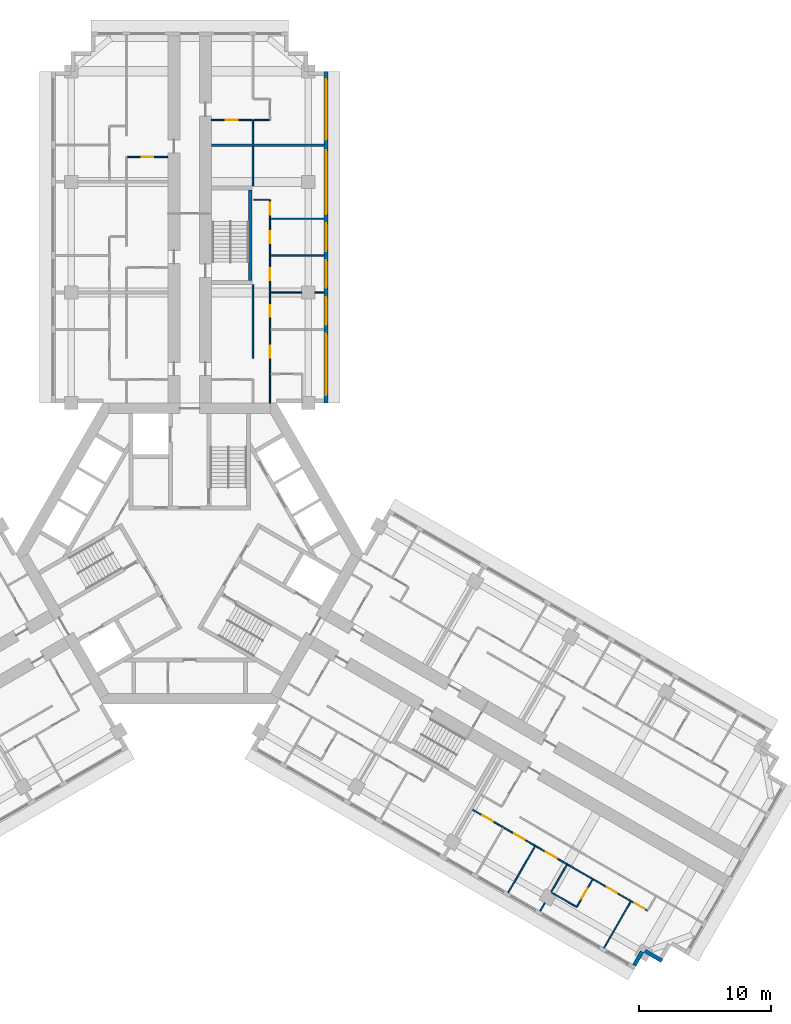
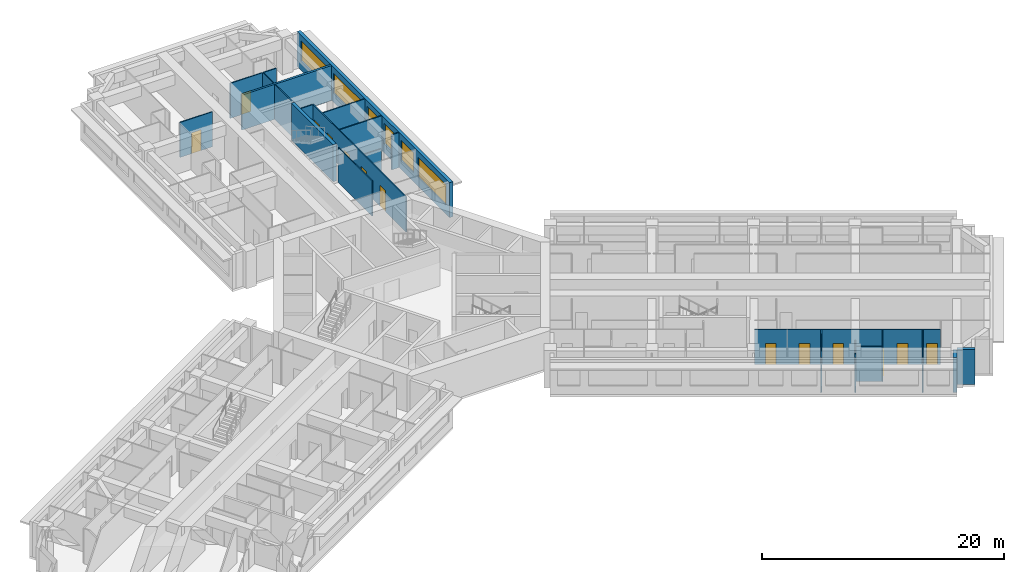
# One storey, part 10 of 14: 24 walls, 13 doors, 6 windows, 19 openings.
"""IFC4 building model written with IfcOpenShell, lengths in metres."""

import ifcopenshell
import ifcopenshell.guid

model = None  # the IFC model being written
_history = None  # IfcOwnerHistory: only IFC2X3 demands one
_inside = {}  # id of a spatial element -> (the spatial element, [elements in it])
_under = {}  # id of a project, library or spatial element -> (it, [spatial elements below it])
_declared = {}  # id of a project -> (the project, [libraries it declares])
_typed = {}  # id of a type object -> (the type object, [elements of that type])
_made_of = {}  # id of a material, layer set ... -> (it, [elements and type objects made of it])


def new_model(schema):
    """Start an empty IFC model of exactly this schema.

    Asked for "IFC4X3", IfcOpenShell would pick the latest addendum, in which some entities
    have other attributes; the version numbers below select the first issue.
    IFC2X3 requires an IfcOwnerHistory on every rooted entity: one is made here for all.
    """
    global model, _history
    if schema == "IFC4X3":
        model = ifcopenshell.file(schema_version=(4, 3, 0, 0))
    else:
        model = ifcopenshell.file(schema=schema)
    _inside.clear()
    _under.clear()
    _declared.clear()
    _typed.clear()
    _made_of.clear()
    _history = None
    if model.schema == "IFC2X3":
        org = make("IfcOrganization", Name="unknown")
        user = make(
            "IfcPersonAndOrganization",
            ThePerson=make("IfcPerson", FamilyName="unknown"),
            TheOrganization=org,
        )
        app = make(
            "IfcApplication",
            ApplicationDeveloper=org,
            Version="unknown",
            ApplicationFullName="unknown",
            ApplicationIdentifier="unknown",
        )
        _history = make(
            "IfcOwnerHistory",
            OwningUser=user,
            OwningApplication=app,
            ChangeAction="ADDED",
            CreationDate=0,
        )
    return model


def make(cls, **values):
    """One entity of the class cls with the attributes given. An attribute that is None is left unset."""
    return model.create_entity(
        cls, **{name: value for name, value in values.items() if value is not None}
    )


def rooted(cls, **values):
    """An entity with a GlobalId (a new one), such as an element, a storey or a relation."""
    return make(cls, GlobalId=ifcopenshell.guid.new(), OwnerHistory=_history, **values)


def si_unit(unit_type, name, prefix=None):
    """IfcSIUnit, for example si_unit("LENGTHUNIT", "METRE", prefix="MILLI")."""
    return make("IfcSIUnit", UnitType=unit_type, Prefix=prefix, Name=name)


def assignment(units):
    """IfcUnitAssignment: the units of a project."""
    return None if units is None else make("IfcUnitAssignment", Units=units)


def point(xyz):
    """IfcCartesianPoint."""
    return None if xyz is None else make("IfcCartesianPoint", Coordinates=xyz)


def direction(xyz):
    """IfcDirection."""
    return None if xyz is None else make("IfcDirection", DirectionRatios=xyz)


def frame(location, z_axis=None, x_axis=None):
    """IfcAxis2Placement3D, a coordinate frame: its origin and axes. An axis left out is left unset."""
    return make(
        "IfcAxis2Placement3D",
        Location=point(location),
        Axis=direction(z_axis),
        RefDirection=direction(x_axis),
    )


def frame_2d(location, x_axis=None):
    """IfcAxis2Placement2D, a coordinate frame in the plane: its origin and x axis."""
    return make(
        "IfcAxis2Placement2D", Location=point(location), RefDirection=direction(x_axis)
    )


def origin():
    """The frame at (0, 0, 0) with its axes left unset."""
    return frame((0.0, 0.0, 0.0))


def place(relative_to, where):
    """IfcLocalPlacement: puts the frame where relative to a parent placement (None: the world)."""
    return make(
        "IfcLocalPlacement", PlacementRelTo=relative_to, RelativePlacement=where
    )


def context(
    kind, dimensions, precision=None, world=None, true_north=None, identifier=None
):
    """IfcGeometricRepresentationContext, for example the 3D "Model" context."""
    return make(
        "IfcGeometricRepresentationContext",
        ContextIdentifier=identifier,
        ContextType=kind,
        CoordinateSpaceDimension=dimensions,
        Precision=precision,
        WorldCoordinateSystem=world,
        TrueNorth=true_north,
    )


def subcontext(parent, identifier, kind, view, scale=None):
    """IfcGeometricRepresentationSubContext, for example "Body" below "Model"."""
    return make(
        "IfcGeometricRepresentationSubContext",
        ContextIdentifier=identifier,
        ContextType=kind,
        ParentContext=parent,
        TargetScale=scale,
        TargetView=view,
    )


def project(units=None, contexts=None):
    """IfcProject with its units and contexts."""
    return rooted(
        "IfcProject",
        Name="project",
        RepresentationContexts=contexts,
        UnitsInContext=assignment(units),
    )


def spatial(cls, under=None, at=None, **own):
    """A site, building, storey or space (cls), placed at a placement, below another one or the project."""
    s = rooted(cls, ObjectPlacement=at, **own)
    if under is not None:
        _under.setdefault(under.id(), (under, []))[1].append(s)
    return s


def profile(cls, at=None, kind="AREA", **sizes):
    """A parametric profile (cls). Its sizes go by their IFC names, for example OverallWidth=200.0."""
    return make(cls, ProfileType=kind, Position=at, **sizes)


def rectangle(**sizes):
    """IfcRectangleProfileDef."""
    return profile("IfcRectangleProfileDef", **sizes)


def extrude(swept, where, along, depth):
    """IfcExtrudedAreaSolid: the profile swept, set in the frame where, extruded along a direction by depth."""
    return make(
        "IfcExtrudedAreaSolid",
        SweptArea=swept,
        Position=where,
        ExtrudedDirection=direction(along),
        Depth=depth,
    )


def shape(context_of_items, identifier, shape_type, items):
    """IfcShapeRepresentation: the items that make up one representation, for example the "Body"."""
    return make(
        "IfcShapeRepresentation",
        ContextOfItems=context_of_items,
        RepresentationIdentifier=identifier,
        RepresentationType=shape_type,
        Items=items,
    )


def material(Name=None, Category=None):
    """IfcMaterial."""
    return make("IfcMaterial", Name=Name, Category=Category)


def layer(
    of_material, thickness, ventilated=None, Name=None, Category=None, Priority=None
):
    """IfcMaterialLayer: one layer of a wall or slab, of a material (None: an air gap)."""
    return make(
        "IfcMaterialLayer",
        Material=of_material,
        LayerThickness=thickness,
        IsVentilated=ventilated,
        Name=Name,
        Category=Category,
        Priority=Priority,
    )


def layer_set(layers, Name=None):
    """IfcMaterialLayerSet."""
    return make("IfcMaterialLayerSet", MaterialLayers=layers, LayerSetName=Name)


def made_of(thing, what):
    """Note that an element or type object is made of a material, layer set ...; save() writes the relation."""
    if what is not None:
        _made_of.setdefault(what.id(), (what, []))[1].append(thing)
    return thing


def type_object(cls, material=None, **own):
    """A type object (cls), such as IfcWallType, which elements share."""
    return made_of(rooted(cls, **own), material)


def element(
    cls,
    number,
    at=None,
    inside=None,
    cuts=None,
    type_object=None,
    material=None,
    context=None,
    identifier="Body",
    shape_type=None,
    held_by="IfcProductDefinitionShape",
    body=None,
    shapes=None,
    **own,
):
    """One element of the class cls, such as IfcWall. Its Tag is "e" and its number.

    at: its placement. inside: the storey or other place that contains it. cuts: it is an
    opening in that element (IfcRelVoidsElement). A single representation is given by context,
    identifier, shape_type and body (its items); several are given by shapes. held_by: the class
    of the entity that holds the representations. save() writes the other relations.
    """
    e = rooted(cls, Tag="e%d" % number, ObjectPlacement=at, **own)
    if body is not None:
        shapes = [shape(context, identifier, shape_type, body)]
    if shapes is not None:
        e.Representation = make(held_by, Representations=shapes)
    if inside is not None:
        _inside.setdefault(inside.id(), (inside, []))[1].append(e)
    if cuts is not None:
        rooted(
            "IfcRelVoidsElement", RelatingBuildingElement=cuts, RelatedOpeningElement=e
        )
    if type_object is not None:
        _typed.setdefault(type_object.id(), (type_object, []))[1].append(e)
    return made_of(e, material)


def fill(opening, filler):
    """IfcRelFillsElement: the door or window that sits in an opening."""
    return rooted(
        "IfcRelFillsElement",
        RelatingOpeningElement=opening,
        RelatedBuildingElement=filler,
    )


def aggregate(whole, parts):
    """IfcRelAggregates: a whole, such as a stair, and the parts it consists of."""
    return rooted("IfcRelAggregates", RelatingObject=whole, RelatedObjects=parts)


def save(model, path):
    """Write the relations noted so far, then the file.

    IfcRelAggregates (storeys below a building ...), IfcRelContainedInSpatialStructure (elements
    in a storey), IfcRelDefinesByType, IfcRelAssociatesMaterial and IfcRelDeclares: one each for
    every whole, place, type object, material and project.
    """
    for whole, parts in _under.values():
        aggregate(whole, parts)
    for where, things in _inside.values():
        rooted(
            "IfcRelContainedInSpatialStructure",
            RelatedElements=things,
            RelatingStructure=where,
        )
    for kind, things in _typed.values():
        rooted("IfcRelDefinesByType", RelatedObjects=things, RelatingType=kind)
    for what, things in _made_of.values():
        rooted("IfcRelAssociatesMaterial", RelatedObjects=things, RelatingMaterial=what)
    for by, libraries in _declared.values():
        rooted("IfcRelDeclares", RelatingContext=by, RelatedDefinitions=libraries)
    model.write(path)


model = new_model("IFC4")

# Units and contexts
model_context = context("Model", 3, precision=1e-05, world=origin(), true_north=direction((0.0, 1.0)))
body_context = subcontext(model_context, "Body", "Model", "MODEL_VIEW")
ifc_project = project(units=[si_unit("LENGTHUNIT", "METRE"), si_unit("AREAUNIT", "SQUARE_METRE"), si_unit("VOLUMEUNIT", "CUBIC_METRE"), si_unit("PLANEANGLEUNIT", "RADIAN"), si_unit("MASSUNIT", "GRAM", prefix="KILO")], contexts=[model_context])

# Site, building, storey
site_placement = place(None, origin())
site = spatial("IfcSite", under=ifc_project, at=site_placement, CompositionType="ELEMENT")
building_placement = place(site_placement, origin())
building = spatial("IfcBuilding", under=site, at=building_placement, Name="Impinga Residences", CompositionType="ELEMENT")
storey_placement = place(building_placement, frame((0.0, 0.0, 128.5)))
storey = spatial("IfcBuildingStorey", under=building, at=storey_placement, Name="L31", CompositionType="ELEMENT", Elevation=128.5)

# Wall, openings, windows
ifc_material_1 = material(Name="Terracotta rainscreen on blockwork", Category="masonry")
ifc_layer_1 = layer(ifc_material_1, 0.300048828125)
ifc_layer_set_1 = layer_set([ifc_layer_1], Name="EW1 external wall, terracotta rainscreen on blockwork 300")
wall_type_1 = type_object("IfcWallType", Name="EW1 external wall, terracotta rainscreen on blockwork 300", PredefinedType="SOLIDWALL", material=ifc_layer_set_1)
wall_1_placement = place(storey_placement, frame((10.35009765625, 36.631591796875, 0.0), z_axis=(0.0, 0.0, 1.0), x_axis=(0.0, -1.0, 0.0)))
wall_1 = element("IfcWall", 1, at=wall_1_placement, inside=storey, type_object=wall_type_1, Name="External wall EW1 L31", PredefinedType="SOLIDWALL", context=body_context, shape_type="SweptSolid", body=[
    extrude(rectangle(XDim=25.199951171875, YDim=0.300048828125, at=frame_2d((12.60009765625, 0.0))), origin(), (0.0, 0.0, 1.0), 3.530029296875),
])
opening_1_placement = place(wall_1_placement, frame((0.60009765625, 0.0, 0.89990234375)))
opening_1 = element("IfcOpeningElement", 2, at=opening_1_placement, cuts=wall_1, Name="Opening W3", PredefinedType="OPENING", context=body_context, shape_type="SweptSolid", body=[
    extrude(rectangle(XDim=4.60009765625, YDim=2.050048828125, at=frame_2d((2.300048828125, 1.02490234375))), frame((0.0, 0.159912109375, 0.0), z_axis=(0.0, -1.0, 0.0), x_axis=(1.0, 0.0, 0.0)), (0.0, 0.0, 1.0), 0.320068359375),
])
opening_2_placement = place(wall_1_placement, frame((6.0, 0.0, 0.89990234375)))
opening_2 = element("IfcOpeningElement", 3, at=opening_2_placement, cuts=wall_1, Name="Opening W6", PredefinedType="OPENING", context=body_context, shape_type="SweptSolid", body=[
    extrude(rectangle(XDim=4.85009765625, YDim=2.050048828125, at=frame_2d((2.425048828125, 1.02490234375))), frame((0.0, 0.159912109375, 0.0), z_axis=(0.0, -1.0, 0.0), x_axis=(1.0, 0.0, 0.0)), (0.0, 0.0, 1.0), 0.320068359375),
])
opening_3_placement = place(wall_1_placement, frame((11.550048828125, 0.0, 0.89990234375)))
opening_3 = element("IfcOpeningElement", 4, at=opening_3_placement, cuts=wall_1, Name="Opening W9", PredefinedType="OPENING", context=body_context, shape_type="SweptSolid", body=[
    extrude(rectangle(XDim=2.10009765625, YDim=2.050048828125, at=frame_2d((1.050048828125, 1.02490234375))), frame((0.0, 0.159912109375, 0.0), z_axis=(0.0, -1.0, 0.0), x_axis=(1.0, 0.0, 0.0)), (0.0, 0.0, 1.0), 0.320068359375),
])
opening_4_placement = place(wall_1_placement, frame((14.35009765625, 0.0, 0.89990234375)))
opening_4 = element("IfcOpeningElement", 5, at=opening_4_placement, cuts=wall_1, Name="Opening W9", PredefinedType="OPENING", context=body_context, shape_type="SweptSolid", body=[
    extrude(rectangle(XDim=2.10009765625, YDim=2.050048828125, at=frame_2d((1.050048828125, 1.02490234375))), frame((0.0, 0.159912109375, 0.0), z_axis=(0.0, -1.0, 0.0), x_axis=(1.0, 0.0, 0.0)), (0.0, 0.0, 1.0), 0.320068359375),
])
opening_5_placement = place(wall_1_placement, frame((17.14990234375, 0.0, 0.89990234375)))
opening_5 = element("IfcOpeningElement", 6, at=opening_5_placement, cuts=wall_1, Name="Opening W9", PredefinedType="OPENING", context=body_context, shape_type="SweptSolid", body=[
    extrude(rectangle(XDim=2.10009765625, YDim=2.050048828125, at=frame_2d((1.050048828125, 1.02490234375))), frame((0.0, 0.159912109375, 0.0), z_axis=(0.0, -1.0, 0.0), x_axis=(1.0, 0.0, 0.0)), (0.0, 0.0, 1.0), 0.320068359375),
])
opening_6_placement = place(wall_1_placement, frame((19.949951171875, 0.0, 0.89990234375)))
opening_6 = element("IfcOpeningElement", 7, at=opening_6_placement, cuts=wall_1, Name="Opening W10", PredefinedType="OPENING", context=body_context, shape_type="SweptSolid", body=[
    extrude(rectangle(XDim=4.64990234375, YDim=2.050048828125, at=frame_2d((2.324951171875, 1.02490234375))), frame((0.0, 0.159912109375, 0.0), z_axis=(0.0, -1.0, 0.0), x_axis=(1.0, 0.0, 0.0)), (0.0, 0.0, 1.0), 0.320068359375),
])
ifc_material_2 = material(Name="Aluminium window, clear double glazing", Category="aluminium")
window_type_1 = type_object("IfcWindowType", Name="W10 ribbon window 4650x2050", PartitioningType="SINGLE_PANEL", PredefinedType="WINDOW", material=ifc_material_2)
window_1_placement = place(opening_6_placement, origin())
window_1 = element("IfcWindow", 8, at=window_1_placement, inside=storey, type_object=window_type_1, Name="Window L31", OverallHeight=2.050048828125, OverallWidth=4.64990234375, PartitioningType="SINGLE_PANEL", PredefinedType="WINDOW", context=body_context, shape_type="SweptSolid", body=[
    extrude(rectangle(XDim=4.64990234375, YDim=2.050048828125, at=frame_2d((2.324951171875, 1.02490234375))), frame((0.0, 0.030029296875, 0.0), z_axis=(0.0, -1.0, 0.0), x_axis=(1.0, 0.0, 0.0)), (0.0, 0.0, 1.0), 0.06005859375),
])
fill(opening_6, window_1)
window_type_2 = type_object("IfcWindowType", Name="W3 ribbon window 4600x2050", PartitioningType="SINGLE_PANEL", PredefinedType="WINDOW", material=ifc_material_2)
window_2_placement = place(opening_1_placement, origin())
window_2 = element("IfcWindow", 9, at=window_2_placement, inside=storey, type_object=window_type_2, Name="Window L31", OverallHeight=2.050048828125, OverallWidth=4.60009765625, PartitioningType="SINGLE_PANEL", PredefinedType="WINDOW", context=body_context, shape_type="SweptSolid", body=[
    extrude(rectangle(XDim=4.60009765625, YDim=2.050048828125, at=frame_2d((2.300048828125, 1.02490234375))), frame((0.0, 0.030029296875, 0.0), z_axis=(0.0, -1.0, 0.0), x_axis=(1.0, 0.0, 0.0)), (0.0, 0.0, 1.0), 0.06005859375),
])
fill(opening_1, window_2)
window_type_3 = type_object("IfcWindowType", Name="W6 ribbon window 4850x2050", PartitioningType="SINGLE_PANEL", PredefinedType="WINDOW", material=ifc_material_2)
window_3_placement = place(opening_2_placement, origin())
window_3 = element("IfcWindow", 10, at=window_3_placement, inside=storey, type_object=window_type_3, Name="Window L31", OverallHeight=2.050048828125, OverallWidth=4.85009765625, PartitioningType="SINGLE_PANEL", PredefinedType="WINDOW", context=body_context, shape_type="SweptSolid", body=[
    extrude(rectangle(XDim=4.85009765625, YDim=2.050048828125, at=frame_2d((2.425048828125, 1.02490234375))), frame((0.0, 0.030029296875, 0.0), z_axis=(0.0, -1.0, 0.0), x_axis=(1.0, 0.0, 0.0)), (0.0, 0.0, 1.0), 0.06005859375),
])
fill(opening_2, window_3)
window_type_4 = type_object("IfcWindowType", Name="W9 ribbon window 2100x2050", PartitioningType="SINGLE_PANEL", PredefinedType="WINDOW", material=ifc_material_2)
window_4_placement = place(opening_3_placement, origin())
window_4 = element("IfcWindow", 11, at=window_4_placement, inside=storey, type_object=window_type_4, Name="Window L31", OverallHeight=2.050048828125, OverallWidth=2.10009765625, PartitioningType="SINGLE_PANEL", PredefinedType="WINDOW", context=body_context, shape_type="SweptSolid", body=[
    extrude(rectangle(XDim=2.10009765625, YDim=2.050048828125, at=frame_2d((1.050048828125, 1.02490234375))), frame((0.0, 0.030029296875, 0.0), z_axis=(0.0, -1.0, 0.0), x_axis=(1.0, 0.0, 0.0)), (0.0, 0.0, 1.0), 0.06005859375),
])
fill(opening_3, window_4)
window_5_placement = place(opening_4_placement, origin())
window_5 = element("IfcWindow", 12, at=window_5_placement, inside=storey, type_object=window_type_4, Name="Window L31", OverallHeight=2.050048828125, OverallWidth=2.10009765625, PartitioningType="SINGLE_PANEL", PredefinedType="WINDOW", context=body_context, shape_type="SweptSolid", body=[
    extrude(rectangle(XDim=2.10009765625, YDim=2.050048828125, at=frame_2d((1.050048828125, 1.02490234375))), frame((0.0, 0.030029296875, 0.0), z_axis=(0.0, -1.0, 0.0), x_axis=(1.0, 0.0, 0.0)), (0.0, 0.0, 1.0), 0.06005859375),
])
fill(opening_4, window_5)
window_6_placement = place(opening_5_placement, origin())
window_6 = element("IfcWindow", 13, at=window_6_placement, inside=storey, type_object=window_type_4, Name="Window L31", OverallHeight=2.050048828125, OverallWidth=2.10009765625, PartitioningType="SINGLE_PANEL", PredefinedType="WINDOW", context=body_context, shape_type="SweptSolid", body=[
    extrude(rectangle(XDim=2.10009765625, YDim=2.050048828125, at=frame_2d((1.050048828125, 1.02490234375))), frame((0.0, 0.030029296875, 0.0), z_axis=(0.0, -1.0, 0.0), x_axis=(1.0, 0.0, 0.0)), (0.0, 0.0, 1.0), 0.06005859375),
])
fill(opening_5, window_6)

# Walls
wall_2_placement = place(storey_placement, frame((35.87255859375, -30.93017578125, 0.0), z_axis=(0.0, 0.0, 1.0), x_axis=(-0.866031096941, 0.499990139034, 0.0)))
element("IfcWall", 14, at=wall_2_placement, inside=storey, type_object=wall_type_1, Name="External wall EW1 L31", PredefinedType="SOLIDWALL", context=body_context, shape_type="SweptSolid", body=[
    extrude(rectangle(XDim=1.5, YDim=0.300048828125, at=frame_2d((0.75, 0.0))), origin(), (0.0, 0.0, 1.0), 3.530029296875),
])
wall_3_placement = place(storey_placement, frame((34.365966796875, -30.2392578125, 0.0), z_axis=(0.0, 0.0, 1.0), x_axis=(-0.499940577336, -0.866059708757, 0.0)))
element("IfcWall", 15, at=wall_3_placement, inside=storey, type_object=wall_type_1, Name="External wall EW1 L31", PredefinedType="SOLIDWALL", context=body_context, shape_type="SweptSolid", body=[
    extrude(rectangle(XDim=1.195068359375, YDim=0.300048828125, at=frame_2d((0.59765625, 0.0))), origin(), (0.0, 0.0, 1.0), 3.530029296875),
])

# Wall, opening, door
ifc_material_3 = material(Name="Gypsum board on steel studs", Category="steel")
ifc_layer_2 = layer(ifc_material_3, 0.10009765625)
ifc_layer_set_2 = layer_set([ifc_layer_2], Name="Gypsum board on steel studs")
wall_type_2 = type_object("IfcWallType", Name="IP1 partition 100", PredefinedType="PARTITIONING", material=ifc_layer_set_2)
wall_4_placement = place(storey_placement, frame((-1.64990234375, 30.131591796875, 0.0), z_axis=(0.0, 0.0, 1.0), x_axis=(-1.0, 0.0, 0.0)))
wall_4 = element("IfcWall", 16, at=wall_4_placement, inside=storey, type_object=wall_type_2, Name="Partition L31-NA3:IB1", PredefinedType="PARTITIONING", context=body_context, shape_type="SweptSolid", body=[
    extrude(rectangle(XDim=3.10009765625, YDim=0.10009765625, at=frame_2d((1.550048828125, 0.0))), origin(), (0.0, 0.0, 1.0), 3.530029296875),
])
opening_7_placement = place(wall_4_placement, frame((1.10009765625, 0.0, 0.0)))
opening_7 = element("IfcOpeningElement", 17, at=opening_7_placement, cuts=wall_4, Name="Opening D2", PredefinedType="OPENING", context=body_context, shape_type="SweptSolid", body=[
    extrude(rectangle(XDim=0.89990234375, YDim=2.10009765625, at=frame_2d((0.449951171875, 1.050048828125))), frame((0.0, 0.06005859375, 0.0), z_axis=(0.0, -1.0, 0.0), x_axis=(1.0, 0.0, 0.0)), (0.0, 0.0, 1.0), 0.1201171875),
])
ifc_material_4 = material(Name="Timber door set", Category="wood")
door_type = type_object("IfcDoorType", Name="D2 internal door 900x2100", OperationType="SINGLE_SWING_LEFT", PredefinedType="DOOR", material=ifc_material_4)
door_1_placement = place(opening_7_placement, origin())
door_1 = element("IfcDoor", 18, at=door_1_placement, inside=storey, type_object=door_type, Name="Apartment L31-NA3 bathroom door", OperationType="SINGLE_SWING_LEFT", OverallHeight=2.10009765625, OverallWidth=0.89990234375, PredefinedType="DOOR", context=body_context, shape_type="SweptSolid", body=[
    extrude(rectangle(XDim=0.89990234375, YDim=2.10009765625, at=frame_2d((0.449951171875, 1.050048828125))), frame((0.0, 0.02490234375, 0.0), z_axis=(0.0, -1.0, 0.0), x_axis=(1.0, 0.0, 0.0)), (0.0, 0.0, 1.0), 0.050048828125),
])
fill(opening_7, door_1)

# Walls
wall_5_placement = place(storey_placement, frame((4.800048828125, 14.83154296875, 0.0), z_axis=(0.0, 0.0, 1.0), x_axis=(0.0, 1.0, 0.0)))
element("IfcWall", 19, at=wall_5_placement, inside=storey, type_object=wall_type_2, Name="Partition L31-NF1:DIV1", PredefinedType="PARTITIONING", context=body_context, shape_type="SweptSolid", body=[
    extrude(rectangle(XDim=5.60009765625, YDim=0.10009765625, at=frame_2d((2.800048828125, 0.0))), origin(), (0.0, 0.0, 1.0), 3.530029296875),
])
wall_6_placement = place(storey_placement, frame((4.800048828125, 27.931640625, 0.0), z_axis=(0.0, 0.0, 1.0), x_axis=(0.0, 1.0, 0.0)))
element("IfcWall", 20, at=wall_6_placement, inside=storey, type_object=wall_type_2, Name="Partition L31-NF1:DIV2", PredefinedType="PARTITIONING", context=body_context, shape_type="SweptSolid", body=[
    extrude(rectangle(XDim=3.0, YDim=0.10009765625, at=frame_2d((1.5, 0.0))), origin(), (0.0, 0.0, 1.0), 3.530029296875),
])

# Wall, openings, doors
wall_7_placement = place(storey_placement, frame((6.10009765625, 11.431640625, 0.0), z_axis=(0.0, 0.0, 1.0), x_axis=(0.0, 1.0, 0.0)))
wall_7 = element("IfcWall", 21, at=wall_7_placement, inside=storey, type_object=wall_type_2, Name="Partition L31-NF1:STRIP", PredefinedType="PARTITIONING", context=body_context, shape_type="SweptSolid", body=[
    extrude(rectangle(XDim=15.449951171875, YDim=0.10009765625, at=frame_2d((7.72509765625, 0.0))), origin(), (0.0, 0.0, 1.0), 3.530029296875),
])
opening_8_placement = place(wall_7_placement, frame((3.449951171875, 0.0, 0.0)))
opening_8 = element("IfcOpeningElement", 22, at=opening_8_placement, cuts=wall_7, Name="Opening D2", PredefinedType="OPENING", context=body_context, shape_type="SweptSolid", body=[
    extrude(rectangle(XDim=0.89990234375, YDim=2.10009765625, at=frame_2d((0.449951171875, 1.050048828125))), frame((0.0, 0.06005859375, 0.0), z_axis=(0.0, -1.0, 0.0), x_axis=(1.0, 0.0, 0.0)), (0.0, 0.0, 1.0), 0.1201171875),
])
opening_9_placement = place(wall_7_placement, frame((6.550048828125, 0.0, 0.0)))
opening_9 = element("IfcOpeningElement", 23, at=opening_9_placement, cuts=wall_7, Name="Opening D2", PredefinedType="OPENING", context=body_context, shape_type="SweptSolid", body=[
    extrude(rectangle(XDim=0.89990234375, YDim=2.10009765625, at=frame_2d((0.449951171875, 1.050048828125))), frame((0.0, 0.06005859375, 0.0), z_axis=(0.0, -1.0, 0.0), x_axis=(1.0, 0.0, 0.0)), (0.0, 0.0, 1.0), 0.1201171875),
])
opening_10_placement = place(wall_7_placement, frame((9.35009765625, 0.0, 0.0)))
opening_10 = element("IfcOpeningElement", 24, at=opening_10_placement, cuts=wall_7, Name="Opening D2", PredefinedType="OPENING", context=body_context, shape_type="SweptSolid", body=[
    extrude(rectangle(XDim=0.89990234375, YDim=2.10009765625, at=frame_2d((0.449951171875, 1.050048828125))), frame((0.0, 0.06005859375, 0.0), z_axis=(0.0, -1.0, 0.0), x_axis=(1.0, 0.0, 0.0)), (0.0, 0.0, 1.0), 0.1201171875),
])
opening_11_placement = place(wall_7_placement, frame((12.14990234375, 0.0, 0.0)))
opening_11 = element("IfcOpeningElement", 25, at=opening_11_placement, cuts=wall_7, Name="Opening D2", PredefinedType="OPENING", context=body_context, shape_type="SweptSolid", body=[
    extrude(rectangle(XDim=0.89990234375, YDim=2.10009765625, at=frame_2d((0.449951171875, 1.050048828125))), frame((0.0, 0.06005859375, 0.0), z_axis=(0.0, -1.0, 0.0), x_axis=(1.0, 0.0, 0.0)), (0.0, 0.0, 1.0), 0.1201171875),
])
opening_12_placement = place(wall_7_placement, frame((14.300048828125, 0.0, 0.0)))
opening_12 = element("IfcOpeningElement", 26, at=opening_12_placement, cuts=wall_7, Name="Opening D2", PredefinedType="OPENING", context=body_context, shape_type="SweptSolid", body=[
    extrude(rectangle(XDim=0.89990234375, YDim=2.10009765625, at=frame_2d((0.449951171875, 1.050048828125))), frame((0.0, 0.06005859375, 0.0), z_axis=(0.0, -1.0, 0.0), x_axis=(1.0, 0.0, 0.0)), (0.0, 0.0, 1.0), 0.1201171875),
])
door_2_placement = place(opening_8_placement, origin())
door_2 = element("IfcDoor", 27, at=door_2_placement, inside=storey, type_object=door_type, Name="Apartment L31-NF1 room door", OperationType="SINGLE_SWING_LEFT", OverallHeight=2.10009765625, OverallWidth=0.89990234375, PredefinedType="DOOR", context=body_context, shape_type="SweptSolid", body=[
    extrude(rectangle(XDim=0.89990234375, YDim=2.10009765625, at=frame_2d((0.449951171875, 1.050048828125))), frame((0.0, 0.02490234375, 0.0), z_axis=(0.0, -1.0, 0.0), x_axis=(1.0, 0.0, 0.0)), (0.0, 0.0, 1.0), 0.050048828125),
])
fill(opening_8, door_2)
door_3_placement = place(opening_9_placement, origin())
door_3 = element("IfcDoor", 28, at=door_3_placement, inside=storey, type_object=door_type, Name="Apartment L31-NF1 room door", OperationType="SINGLE_SWING_LEFT", OverallHeight=2.10009765625, OverallWidth=0.89990234375, PredefinedType="DOOR", context=body_context, shape_type="SweptSolid", body=[
    extrude(rectangle(XDim=0.89990234375, YDim=2.10009765625, at=frame_2d((0.449951171875, 1.050048828125))), frame((0.0, 0.02490234375, 0.0), z_axis=(0.0, -1.0, 0.0), x_axis=(1.0, 0.0, 0.0)), (0.0, 0.0, 1.0), 0.050048828125),
])
fill(opening_9, door_3)
door_4_placement = place(opening_10_placement, origin())
door_4 = element("IfcDoor", 29, at=door_4_placement, inside=storey, type_object=door_type, Name="Apartment L31-NF1 room door", OperationType="SINGLE_SWING_RIGHT", OverallHeight=2.10009765625, OverallWidth=0.89990234375, PredefinedType="DOOR", context=body_context, shape_type="SweptSolid", body=[
    extrude(rectangle(XDim=0.89990234375, YDim=2.10009765625, at=frame_2d((0.449951171875, 1.050048828125))), frame((0.0, 0.02490234375, 0.0), z_axis=(0.0, -1.0, 0.0), x_axis=(1.0, 0.0, 0.0)), (0.0, 0.0, 1.0), 0.050048828125),
])
fill(opening_10, door_4)
door_5_placement = place(opening_11_placement, origin())
door_5 = element("IfcDoor", 30, at=door_5_placement, inside=storey, type_object=door_type, Name="Apartment L31-NF1 room door", OperationType="SINGLE_SWING_RIGHT", OverallHeight=2.10009765625, OverallWidth=0.89990234375, PredefinedType="DOOR", context=body_context, shape_type="SweptSolid", body=[
    extrude(rectangle(XDim=0.89990234375, YDim=2.10009765625, at=frame_2d((0.449951171875, 1.050048828125))), frame((0.0, 0.02490234375, 0.0), z_axis=(0.0, -1.0, 0.0), x_axis=(1.0, 0.0, 0.0)), (0.0, 0.0, 1.0), 0.050048828125),
])
fill(opening_11, door_5)
door_6_placement = place(opening_12_placement, origin())
door_6 = element("IfcDoor", 31, at=door_6_placement, inside=storey, type_object=door_type, Name="Apartment L31-NF1 room door", OperationType="SINGLE_SWING_RIGHT", OverallHeight=2.10009765625, OverallWidth=0.89990234375, PredefinedType="DOOR", context=body_context, shape_type="SweptSolid", body=[
    extrude(rectangle(XDim=0.89990234375, YDim=2.10009765625, at=frame_2d((0.449951171875, 1.050048828125))), frame((0.0, 0.02490234375, 0.0), z_axis=(0.0, -1.0, 0.0), x_axis=(1.0, 0.0, 0.0)), (0.0, 0.0, 1.0), 0.050048828125),
])
fill(opening_12, door_6)

# Walls
wall_8_placement = place(storey_placement, frame((4.85009765625, 26.881591796875, 0.0), z_axis=(0.0, 0.0, 1.0), x_axis=(1.0, 0.0, 0.0)))
element("IfcWall", 32, at=wall_8_placement, inside=storey, type_object=wall_type_2, Name="Partition L31-NF1:SE1", PredefinedType="PARTITIONING", context=body_context, shape_type="SweptSolid", body=[
    extrude(rectangle(XDim=1.199951171875, YDim=0.10009765625, at=frame_2d((0.60009765625, 0.0))), origin(), (0.0, 0.0, 1.0), 3.530029296875),
])
wall_9_placement = place(storey_placement, frame((6.14990234375, 19.83154296875, 0.0), z_axis=(0.0, 0.0, 1.0), x_axis=(1.0, 0.0, 0.0)))
element("IfcWall", 33, at=wall_9_placement, inside=storey, type_object=wall_type_2, Name="Partition L31-NF1:OB2", PredefinedType="PARTITIONING", context=body_context, shape_type="SweptSolid", body=[
    extrude(rectangle(XDim=2.35009765625, YDim=0.10009765625, at=frame_2d((1.175048828125, 0.0))), origin(), (0.0, 0.0, 1.0), 2.47998046875),
])
wall_10_placement = place(storey_placement, frame((9.5, 19.83154296875, 0.0), z_axis=(0.0, 0.0, 1.0), x_axis=(1.0, 0.0, 0.0)))
element("IfcWall", 34, at=wall_10_placement, inside=storey, type_object=wall_type_2, Name="Partition L31-NF1:OB2b", PredefinedType="PARTITIONING", context=body_context, shape_type="SweptSolid", body=[
    extrude(rectangle(XDim=0.699951171875, YDim=0.10009765625, at=frame_2d((0.35009765625, 0.0))), origin(), (0.0, 0.0, 1.0), 3.530029296875),
])
for number, where, z_axis, x_axis, name in (
    (35, (6.14990234375, 22.631591796875, 0.0), (0.0, 0.0, 1.0), (1.0, 0.0, 0.0), "Partition L31-NF1:OB3"),
    (36, (6.14990234375, 25.431640625, 0.0), (0.0, 0.0, 1.0), (1.0, 0.0, 0.0), "Partition L31-NF1:OB4"),
):
    element("IfcWall", number, at=place(storey_placement, frame(where, z_axis=z_axis, x_axis=x_axis)), inside=storey, type_object=wall_type_2, Name=name, PredefinedType="PARTITIONING", context=body_context, shape_type="SweptSolid", body=[
        extrude(rectangle(XDim=4.050048828125, YDim=0.10009765625, at=frame_2d((2.02490234375, 0.0))), origin(), (0.0, 0.0, 1.0), 3.530029296875),
    ])
wall_11_placement = place(storey_placement, frame((4.800048828125, 31.131591796875, 0.0), z_axis=(0.0, 0.0, 1.0), x_axis=(0.0, 1.0, 0.0)))
element("IfcWall", 37, at=wall_11_placement, inside=storey, type_object=wall_type_2, Name="Partition L31-NF2:DIV0", PredefinedType="PARTITIONING", context=body_context, shape_type="SweptSolid", body=[
    extrude(rectangle(XDim=1.800048828125, YDim=0.10009765625, at=frame_2d((0.89990234375, 0.0))), origin(), (0.0, 0.0, 1.0), 3.530029296875),
])
wall_12_placement = place(storey_placement, frame((4.85009765625, 32.931640625, 0.0), z_axis=(0.0, 0.0, 1.0), x_axis=(1.0, 0.0, 0.0)))
element("IfcWall", 38, at=wall_12_placement, inside=storey, type_object=wall_type_2, Name="Partition L31-NF2:SE0", PredefinedType="PARTITIONING", context=body_context, shape_type="SweptSolid", body=[
    extrude(rectangle(XDim=1.199951171875, YDim=0.10009765625, at=frame_2d((0.60009765625, 0.0))), origin(), (0.0, 0.0, 1.0), 3.530029296875),
])

# Wall, opening, door
wall_13_placement = place(storey_placement, frame((1.64990234375, 32.931640625, 0.0), z_axis=(0.0, 0.0, 1.0), x_axis=(1.0, 0.0, 0.0)))
wall_13 = element("IfcWall", 39, at=wall_13_placement, inside=storey, type_object=wall_type_2, Name="Partition L31-NF2:IB1", PredefinedType="PARTITIONING", context=body_context, shape_type="SweptSolid", body=[
    extrude(rectangle(XDim=3.10009765625, YDim=0.10009765625, at=frame_2d((1.550048828125, 0.0))), origin(), (0.0, 0.0, 1.0), 3.530029296875),
])
opening_13_placement = place(wall_13_placement, frame((1.10009765625, 0.0, 0.0)))
opening_13 = element("IfcOpeningElement", 40, at=opening_13_placement, cuts=wall_13, Name="Opening D2", PredefinedType="OPENING", context=body_context, shape_type="SweptSolid", body=[
    extrude(rectangle(XDim=0.89990234375, YDim=2.10009765625, at=frame_2d((0.449951171875, 1.050048828125))), frame((0.0, 0.06005859375, 0.0), z_axis=(0.0, -1.0, 0.0), x_axis=(1.0, 0.0, 0.0)), (0.0, 0.0, 1.0), 0.1201171875),
])
door_7_placement = place(opening_13_placement, origin())
door_7 = element("IfcDoor", 41, at=door_7_placement, inside=storey, type_object=door_type, Name="Apartment L31-NF2 bathroom door", OperationType="SINGLE_SWING_LEFT", OverallHeight=2.10009765625, OverallWidth=0.89990234375, PredefinedType="DOOR", context=body_context, shape_type="SweptSolid", body=[
    extrude(rectangle(XDim=0.89990234375, YDim=2.10009765625, at=frame_2d((0.449951171875, 1.050048828125))), frame((0.0, 0.02490234375, 0.0), z_axis=(0.0, -1.0, 0.0), x_axis=(1.0, 0.0, 0.0)), (0.0, 0.0, 1.0), 0.050048828125),
])
fill(opening_13, door_7)

# Wall, openings, doors
wall_14_placement = place(storey_placement, frame((21.48583984375, -19.448486328125, 0.0), z_axis=(0.0, 0.0, 1.0), x_axis=(0.866023490266, -0.500003314297, 0.0)))
wall_14 = element("IfcWall", 42, at=wall_14_placement, inside=storey, type_object=wall_type_2, Name="Partition L31-EF2:STRIP", PredefinedType="PARTITIONING", context=body_context, shape_type="SweptSolid", body=[
    extrude(rectangle(XDim=15.35009765625, YDim=0.10009765625, at=frame_2d((7.675048828125, 0.0))), origin(), (0.0, 0.0, 1.0), 3.530029296875),
])
opening_14_placement = place(wall_14_placement, frame((0.875, 0.0, 0.0)))
opening_14 = element("IfcOpeningElement", 43, at=opening_14_placement, cuts=wall_14, Name="Opening D2", PredefinedType="OPENING", context=body_context, shape_type="SweptSolid", body=[
    extrude(rectangle(XDim=0.89990234375, YDim=2.10009765625, at=frame_2d((0.449951171875, 1.050048828125))), frame((0.0, 0.06005859375, 0.0), z_axis=(0.0, -1.0, 0.0), x_axis=(1.0, 0.0, 0.0)), (0.0, 0.0, 1.0), 0.1201171875),
])
opening_15_placement = place(wall_14_placement, frame((3.64990234375, 0.0, 0.0)))
opening_15 = element("IfcOpeningElement", 44, at=opening_15_placement, cuts=wall_14, Name="Opening D2", PredefinedType="OPENING", context=body_context, shape_type="SweptSolid", body=[
    extrude(rectangle(XDim=0.89990234375, YDim=2.10009765625, at=frame_2d((0.449951171875, 1.050048828125))), frame((0.0, 0.06005859375, 0.0), z_axis=(0.0, -1.0, 0.0), x_axis=(1.0, 0.0, 0.0)), (0.0, 0.0, 1.0), 0.1201171875),
])
opening_16_placement = place(wall_14_placement, frame((6.449951171875, 0.0, 0.0)))
opening_16 = element("IfcOpeningElement", 45, at=opening_16_placement, cuts=wall_14, Name="Opening D2", PredefinedType="OPENING", context=body_context, shape_type="SweptSolid", body=[
    extrude(rectangle(XDim=0.89990234375, YDim=2.10009765625, at=frame_2d((0.449951171875, 1.050048828125))), frame((0.0, 0.06005859375, 0.0), z_axis=(0.0, -1.0, 0.0), x_axis=(1.0, 0.0, 0.0)), (0.0, 0.0, 1.0), 0.1201171875),
])
opening_17_placement = place(wall_14_placement, frame((11.77490234375, 0.0, 0.0)))
opening_17 = element("IfcOpeningElement", 46, at=opening_17_placement, cuts=wall_14, Name="Opening D2", PredefinedType="OPENING", context=body_context, shape_type="SweptSolid", body=[
    extrude(rectangle(XDim=0.89990234375, YDim=2.10009765625, at=frame_2d((0.449951171875, 1.050048828125))), frame((0.0, 0.06005859375, 0.0), z_axis=(0.0, -1.0, 0.0), x_axis=(1.0, 0.0, 0.0)), (0.0, 0.0, 1.0), 0.1201171875),
])
opening_18_placement = place(wall_14_placement, frame((14.199951171875, 0.0, 0.0)))
opening_18 = element("IfcOpeningElement", 47, at=opening_18_placement, cuts=wall_14, Name="Opening D2", PredefinedType="OPENING", context=body_context, shape_type="SweptSolid", body=[
    extrude(rectangle(XDim=0.89990234375, YDim=2.10009765625, at=frame_2d((0.449951171875, 1.050048828125))), frame((0.0, 0.06005859375, 0.0), z_axis=(0.0, -1.0, 0.0), x_axis=(1.0, 0.0, 0.0)), (0.0, 0.0, 1.0), 0.1201171875),
])
door_8_placement = place(opening_14_placement, origin())
door_8 = element("IfcDoor", 48, at=door_8_placement, inside=storey, type_object=door_type, Name="Apartment L31-EF2 room door", OperationType="SINGLE_SWING_LEFT", OverallHeight=2.10009765625, OverallWidth=0.89990234375, PredefinedType="DOOR", context=body_context, shape_type="SweptSolid", body=[
    extrude(rectangle(XDim=0.89990234375, YDim=2.10009765625, at=frame_2d((0.449951171875, 1.050048828125))), frame((0.0, 0.02490234375, 0.0), z_axis=(0.0, -1.0, 0.0), x_axis=(1.0, 0.0, 0.0)), (0.0, 0.0, 1.0), 0.050048828125),
])
fill(opening_14, door_8)
door_9_placement = place(opening_15_placement, origin())
door_9 = element("IfcDoor", 49, at=door_9_placement, inside=storey, type_object=door_type, Name="Apartment L31-EF2 room door", OperationType="SINGLE_SWING_LEFT", OverallHeight=2.10009765625, OverallWidth=0.89990234375, PredefinedType="DOOR", context=body_context, shape_type="SweptSolid", body=[
    extrude(rectangle(XDim=0.89990234375, YDim=2.10009765625, at=frame_2d((0.449951171875, 1.050048828125))), frame((0.0, 0.02490234375, 0.0), z_axis=(0.0, -1.0, 0.0), x_axis=(1.0, 0.0, 0.0)), (0.0, 0.0, 1.0), 0.050048828125),
])
fill(opening_15, door_9)
door_10_placement = place(opening_16_placement, origin())
door_10 = element("IfcDoor", 50, at=door_10_placement, inside=storey, type_object=door_type, Name="Apartment L31-EF2 room door", OperationType="SINGLE_SWING_LEFT", OverallHeight=2.10009765625, OverallWidth=0.89990234375, PredefinedType="DOOR", context=body_context, shape_type="SweptSolid", body=[
    extrude(rectangle(XDim=0.89990234375, YDim=2.10009765625, at=frame_2d((0.449951171875, 1.050048828125))), frame((0.0, 0.02490234375, 0.0), z_axis=(0.0, -1.0, 0.0), x_axis=(1.0, 0.0, 0.0)), (0.0, 0.0, 1.0), 0.050048828125),
])
fill(opening_16, door_10)
door_11_placement = place(opening_17_placement, origin())
door_11 = element("IfcDoor", 51, at=door_11_placement, inside=storey, type_object=door_type, Name="Apartment L31-EF2 room door", OperationType="SINGLE_SWING_RIGHT", OverallHeight=2.10009765625, OverallWidth=0.89990234375, PredefinedType="DOOR", context=body_context, shape_type="SweptSolid", body=[
    extrude(rectangle(XDim=0.89990234375, YDim=2.10009765625, at=frame_2d((0.449951171875, 1.050048828125))), frame((0.0, 0.02490234375, 0.0), z_axis=(0.0, -1.0, 0.0), x_axis=(1.0, 0.0, 0.0)), (0.0, 0.0, 1.0), 0.050048828125),
])
fill(opening_17, door_11)
door_12_placement = place(opening_18_placement, origin())
door_12 = element("IfcDoor", 52, at=door_12_placement, inside=storey, type_object=door_type, Name="Apartment L31-EF2 room door", OperationType="SINGLE_SWING_RIGHT", OverallHeight=2.10009765625, OverallWidth=0.89990234375, PredefinedType="DOOR", context=body_context, shape_type="SweptSolid", body=[
    extrude(rectangle(XDim=0.89990234375, YDim=2.10009765625, at=frame_2d((0.449951171875, 1.050048828125))), frame((0.0, 0.02490234375, 0.0), z_axis=(0.0, -1.0, 0.0), x_axis=(1.0, 0.0, 0.0)), (0.0, 0.0, 1.0), 0.050048828125),
])
fill(opening_18, door_12)

# Walls
wall_15_placement = place(storey_placement, frame((26.223876953125, -22.241943359375, 0.0), z_axis=(0.0, 0.0, 1.0), x_axis=(-0.499990325971, -0.866030989016, 0.0)))
element("IfcWall", 53, at=wall_15_placement, inside=storey, type_object=wall_type_2, Name="Partition L31-EF2:OB2", PredefinedType="PARTITIONING", context=body_context, shape_type="SweptSolid", body=[
    extrude(rectangle(XDim=4.0498046875, YDim=0.10009765625, at=frame_2d((2.02490234375, 0.0))), origin(), (0.0, 0.0, 1.0), 3.530029296875),
])
wall_16_placement = place(storey_placement, frame((28.64892578125, -23.641845703125, 0.0), z_axis=(0.0, 0.0, 1.0), x_axis=(-0.500016218704, -0.866016039709, 0.0)))
element("IfcWall", 54, at=wall_16_placement, inside=storey, type_object=wall_type_2, Name="Partition L31-EF2:OB3", PredefinedType="PARTITIONING", context=body_context, shape_type="SweptSolid", body=[
    extrude(rectangle(XDim=2.35009765625, YDim=0.10009765625, at=frame_2d((1.175048828125, 0.0))), origin(), (0.0, 0.0, 1.0), 2.47998046875),
])
wall_17_placement = place(storey_placement, frame((26.973876953125, -26.54296875, 0.0), z_axis=(0.0, 0.0, 1.0), x_axis=(-0.500114896893, -0.865959057869, 0.0)))
element("IfcWall", 55, at=wall_17_placement, inside=storey, type_object=wall_type_2, Name="Partition L31-EF2:OB3b", PredefinedType="PARTITIONING", context=body_context, shape_type="SweptSolid", body=[
    extrude(rectangle(XDim=0.699951171875, YDim=0.10009765625, at=frame_2d((0.35009765625, 0.0))), origin(), (0.0, 0.0, 1.0), 3.530029296875),
])
wall_18_placement = place(storey_placement, frame((33.49853515625, -26.44189453125, 0.0), z_axis=(0.0, 0.0, 1.0), x_axis=(-0.499990325971, -0.866030989016, 0.0)))
element("IfcWall", 56, at=wall_18_placement, inside=storey, type_object=wall_type_2, Name="Partition L31-EF2:OB4", PredefinedType="PARTITIONING", context=body_context, shape_type="SweptSolid", body=[
    extrude(rectangle(XDim=4.0498046875, YDim=0.10009765625, at=frame_2d((2.02490234375, 0.0))), origin(), (0.0, 0.0, 1.0), 3.530029296875),
])

# Wall, opening, door
wall_19_placement = place(storey_placement, frame((30.597412109375, -24.766845703125, 0.0), z_axis=(0.0, 0.0, 1.0), x_axis=(-0.500018594424, -0.866014668023, 0.0)))
wall_19 = element("IfcWall", 57, at=wall_19_placement, inside=storey, type_object=wall_type_2, Name="Partition L31-EF2:EN1", PredefinedType="PARTITIONING", context=body_context, shape_type="SweptSolid", body=[
    extrude(rectangle(XDim=2.4501953125, YDim=0.10009765625, at=frame_2d((1.22509765625, 0.0))), origin(), (0.0, 0.0, 1.0), 3.530029296875),
])
opening_19_placement = place(wall_19_placement, frame((0.75, 0.0, 0.0)))
opening_19 = element("IfcOpeningElement", 58, at=opening_19_placement, cuts=wall_19, Name="Opening D2", PredefinedType="OPENING", context=body_context, shape_type="SweptSolid", body=[
    extrude(rectangle(XDim=0.89990234375, YDim=2.10009765625, at=frame_2d((0.449951171875, 1.050048828125))), frame((0.0, 0.06005859375, 0.0), z_axis=(0.0, -1.0, 0.0), x_axis=(1.0, 0.0, 0.0)), (0.0, 0.0, 1.0), 0.1201171875),
])
door_13_placement = place(opening_19_placement, origin())
door_13 = element("IfcDoor", 59, at=door_13_placement, inside=storey, type_object=door_type, Name="Apartment L31-EF2 en-suite door", OperationType="SINGLE_SWING_LEFT", OverallHeight=2.10009765625, OverallWidth=0.89990234375, PredefinedType="DOOR", context=body_context, shape_type="SweptSolid", body=[
    extrude(rectangle(XDim=0.89990234375, YDim=2.10009765625, at=frame_2d((0.449951171875, 1.050048828125))), frame((0.0, 0.02490234375, 0.0), z_axis=(0.0, -1.0, 0.0), x_axis=(1.0, 0.0, 0.0)), (0.0, 0.0, 1.0), 0.050048828125),
])
fill(opening_19, door_13)

# Walls
wall_20_placement = place(storey_placement, frame((27.4921875, -25.745361328125, 0.0), z_axis=(0.0, 0.0, 1.0), x_axis=(0.866019166195, -0.500010803666, 0.0)))
element("IfcWall", 60, at=wall_20_placement, inside=storey, type_object=wall_type_2, Name="Partition L31-EF2:EN2", PredefinedType="PARTITIONING", context=body_context, shape_type="SweptSolid", body=[
    extrude(rectangle(XDim=2.14990234375, YDim=0.10009765625, at=frame_2d((1.074951171875, 0.0))), origin(), (0.0, 0.0, 1.0), 3.530029296875),
])
ifc_material_5 = material(Name="Concrete blockwork", Category="masonry")
ifc_layer_3 = layer(ifc_material_5, 0.199951171875)
ifc_layer_set_3 = layer_set([ifc_layer_3], Name="PW1 party wall between apartments 200")
wall_type_3 = type_object("IfcWallType", Name="PW1 party wall between apartments 200", PredefinedType="SOLIDWALL", material=ifc_layer_set_3)
wall_21_placement = place(storey_placement, frame((1.64990234375, 31.031494140625, 0.0), z_axis=(0.0, 0.0, 1.0), x_axis=(1.0, 0.0, 0.0)))
element("IfcWall", 61, at=wall_21_placement, inside=storey, type_object=wall_type_3, Name="Party wall between apartments L31-NF1:PARTY", PredefinedType="SOLIDWALL", context=body_context, shape_type="SweptSolid", body=[
    extrude(rectangle(XDim=8.550048828125, YDim=0.199951171875, at=frame_2d((4.27490234375, 0.0))), origin(), (0.0, 0.0, 1.0), 3.530029296875),
])
ifc_material_6 = material(Name="Concrete C60/75", Category="concrete")
ifc_layer_4 = layer(ifc_material_6, 0.300048828125)
ifc_layer_set_4 = layer_set([ifc_layer_4], Name="Concrete C60/75")
wall_type_4 = type_object("IfcWallType", Name="SE1 wing stair enclosure wall 300", PredefinedType="SOLIDWALL", material=ifc_layer_set_4)
wall_22_placement = place(storey_placement, frame((4.60009765625, 20.7314453125, 0.0), z_axis=(0.0, 0.0, 1.0), x_axis=(0.0, 1.0, 0.0)))
element("IfcWall", 62, at=wall_22_placement, inside=storey, type_object=wall_type_4, Name="Stair enclosure wall SE1 N OUT L31", PredefinedType="SOLIDWALL", context=body_context, shape_type="SweptSolid", body=[
    extrude(rectangle(XDim=6.900146484375, YDim=0.300048828125, at=frame_2d((3.4501953125, 0.0))), origin(), (0.0, 0.0, 1.0), 3.75),
])

save(model, "model.ifc")
